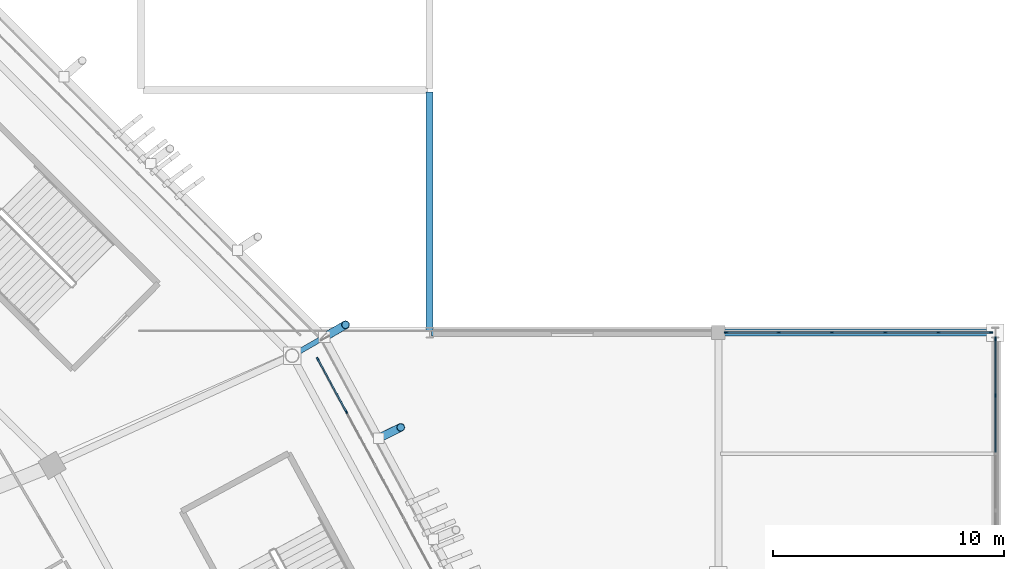
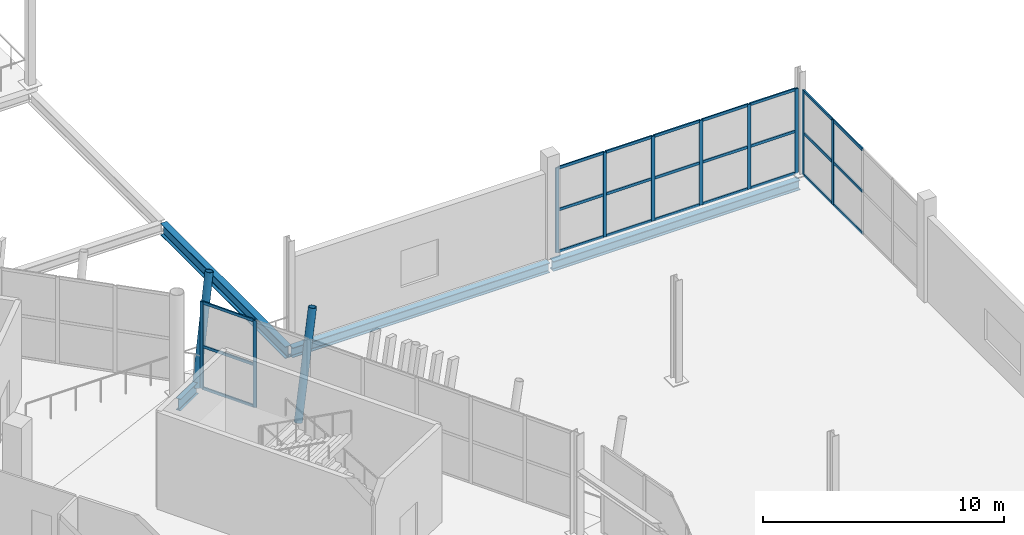
# One storey, part 68 of 178: 36 members, 4 beams, 3 elements without a shape of their own.
"""IFC4 building model written with IfcOpenShell, lengths in metres."""

from ifc_helpers import new_model, si_unit, direction, frame, origin, origin_2d, place, context, subcontext, project, spatial, rectangle, hollow_circle, i_section, extrude, material, material_profile, profile_set, type_object, element, aggregate, save


model = new_model("IFC4")

# Units and contexts
model_context = context("Model", 3, precision=1e-05, world=origin(), true_north=direction((0.0, 1.0)))
body_context = subcontext(model_context, "Body", "Model", "MODEL_VIEW")
ifc_project = project(units=[si_unit("LENGTHUNIT", "METRE"), si_unit("AREAUNIT", "SQUARE_METRE"), si_unit("VOLUMEUNIT", "CUBIC_METRE"), si_unit("PLANEANGLEUNIT", "RADIAN"), si_unit("MASSUNIT", "GRAM", prefix="KILO")], contexts=[model_context])

# Site, building, storey
site_placement = place(None, origin())
site = spatial("IfcSite", under=ifc_project, at=site_placement, CompositionType="ELEMENT")
building_placement = place(site_placement, origin())
building = spatial("IfcBuilding", under=site, at=building_placement, Name="Zlatoyarsky Gate Stadium", CompositionType="ELEMENT")
storey_placement = place(building_placement, frame((0.0, 0.0, 5.39990234375)))
storey = spatial("IfcBuildingStorey", under=building, at=storey_placement, Name="L01", CompositionType="ELEMENT", Elevation=5.39990234375)

# Curtain wall, members
ifc_material_1 = material(Name="Thermally broken anodised aluminium curtain wall", Category="aluminium")
curtain_wall_type_1 = type_object("IfcCurtainWallType", Name="UNITISED HOSPITALITY GLAZING L01", PredefinedType="USERDEFINED", material=ifc_material_1)
curtain_wall_1_placement = place(storey_placement, origin())
curtain_wall_1 = element("IfcCurtainWall", 1, at=curtain_wall_1_placement, inside=storey, type_object=curtain_wall_type_1, Name="Curtain wall CW-L01-01", ObjectType="UNITISED GLAZING", PredefinedType="USERDEFINED")
ifc_material_2 = material(Name="Anodised aluminium 6063-T6", Category="aluminium")
ifc_material_profile_1 = material_profile(ifc_material_2, rectangle(XDim=0.06494140625, YDim=0.159912109375, at=origin_2d()), Name="ALU 65X160")
ifc_profile_set_1 = profile_set([ifc_material_profile_1], Name="Anodised aluminium 6063-T6")
member_type_1 = type_object("IfcMemberType", Name="ALUMINIUM MULLION 65X160", PredefinedType="MULLION", material=ifc_profile_set_1)
member_1_placement = place(storey_placement, frame((193.88818359375, 113.068359375, 0.0), z_axis=(0.0, 0.0, 1.0), x_axis=(-0.879562033396, -0.475784225682, 0.0)))
member_1 = element("IfcMember", 2, at=member_1_placement, type_object=member_type_1, Name="CW-UG1 mullion 7", PredefinedType="MULLION", context=body_context, shape_type="SweptSolid", body=[
    extrude(rectangle(XDim=0.06494140625, YDim=0.159912109375, at=origin_2d()), origin(), (0.0, 0.0, 1.0), 4.400146484375),
])
member_2_placement = place(storey_placement, frame((192.65185546875, 115.35400390625, 0.0), z_axis=(0.0, 0.0, 1.0), x_axis=(-0.879562033396, -0.475784225682, 0.0)))
member_2 = element("IfcMember", 3, at=member_2_placement, type_object=member_type_1, Name="CW-UG1 mullion 8", PredefinedType="MULLION", context=body_context, shape_type="SweptSolid", body=[
    extrude(rectangle(XDim=0.06494140625, YDim=0.159912109375, at=origin_2d()), origin(), (0.0, 0.0, 1.0), 4.400146484375),
])

curtain_wall_type_2 = type_object("IfcCurtainWallType", Name="WINTER GARDEN CONSERVATORY GLAZING", PredefinedType="USERDEFINED", material=ifc_material_1)
curtain_wall_2_placement = place(storey_placement, origin())
curtain_wall_2 = element("IfcCurtainWall", 4, at=curtain_wall_2_placement, inside=storey, type_object=curtain_wall_type_2, Name="Curtain wall CW-V5_EAST-L01-182", ObjectType="UNITISED GLAZING", PredefinedType="USERDEFINED")
member_3_placement = place(storey_placement, frame((222.0, 113.775146484375, 0.0), z_axis=(0.0, 0.0, 1.0), x_axis=(-1.0, 0.0, 0.0)))
member_3 = element("IfcMember", 5, at=member_3_placement, type_object=member_type_1, Name="CW-WG1 mullion 4", PredefinedType="MULLION", context=body_context, shape_type="SweptSolid", body=[
    extrude(rectangle(XDim=0.06494140625, YDim=0.159912109375, at=origin_2d()), origin(), (0.0, 0.0, 1.0), 4.300048828125),
])
member_4_placement = place(storey_placement, frame((222.0, 116.23046875, 0.0), z_axis=(0.0, 0.0, 1.0), x_axis=(-1.0, 0.0, 0.0)))
member_4 = element("IfcMember", 6, at=member_4_placement, type_object=member_type_1, Name="CW-WG1 mullion 5", PredefinedType="MULLION", context=body_context, shape_type="SweptSolid", body=[
    extrude(rectangle(XDim=0.06494140625, YDim=0.159912109375, at=origin_2d()), origin(), (0.0, 0.0, 1.0), 4.300048828125),
])

curtain_wall_3_placement = place(storey_placement, origin())
curtain_wall_3 = element("IfcCurtainWall", 7, at=curtain_wall_3_placement, inside=storey, type_object=curtain_wall_type_2, Name="Curtain wall CW-V5_EAST-L01-190", ObjectType="UNITISED GLAZING", PredefinedType="USERDEFINED")
member_5_placement = place(storey_placement, frame((210.344482421875, 116.5, 0.0), z_axis=(0.0, 0.0, 1.0), x_axis=(0.0, 1.0, 0.0)))
member_5 = element("IfcMember", 8, at=member_5_placement, type_object=member_type_1, Name="CW-WG1 mullion 1", PredefinedType="MULLION", context=body_context, shape_type="SweptSolid", body=[
    extrude(rectangle(XDim=0.06494140625, YDim=0.159912109375, at=origin_2d()), origin(), (0.0, 0.0, 1.0), 4.300048828125),
])
member_6_placement = place(storey_placement, frame((212.6171875, 116.5, 0.0), z_axis=(0.0, 0.0, 1.0), x_axis=(0.0, 1.0, 0.0)))
member_6 = element("IfcMember", 9, at=member_6_placement, type_object=member_type_1, Name="CW-WG1 mullion 2", PredefinedType="MULLION", context=body_context, shape_type="SweptSolid", body=[
    extrude(rectangle(XDim=0.06494140625, YDim=0.159912109375, at=origin_2d()), origin(), (0.0, 0.0, 1.0), 4.300048828125),
])
member_7_placement = place(storey_placement, frame((214.92236328125, 116.5, 0.0), z_axis=(0.0, 0.0, 1.0), x_axis=(0.0, 1.0, 0.0)))
member_7 = element("IfcMember", 10, at=member_7_placement, type_object=member_type_1, Name="CW-WG1 mullion 3", PredefinedType="MULLION", context=body_context, shape_type="SweptSolid", body=[
    extrude(rectangle(XDim=0.06494140625, YDim=0.159912109375, at=origin_2d()), origin(), (0.0, 0.0, 1.0), 4.300048828125),
])
member_8_placement = place(storey_placement, frame((217.2275390625, 116.5, 0.0), z_axis=(0.0, 0.0, 1.0), x_axis=(0.0, 1.0, 0.0)))
member_8 = element("IfcMember", 11, at=member_8_placement, type_object=member_type_1, Name="CW-WG1 mullion 4", PredefinedType="MULLION", context=body_context, shape_type="SweptSolid", body=[
    extrude(rectangle(XDim=0.06494140625, YDim=0.159912109375, at=origin_2d()), origin(), (0.0, 0.0, 1.0), 4.300048828125),
])
member_9_placement = place(storey_placement, frame((219.53271484375, 116.5, 0.0), z_axis=(0.0, 0.0, 1.0), x_axis=(0.0, 1.0, 0.0)))
member_9 = element("IfcMember", 12, at=member_9_placement, type_object=member_type_1, Name="CW-WG1 mullion 5", PredefinedType="MULLION", context=body_context, shape_type="SweptSolid", body=[
    extrude(rectangle(XDim=0.06494140625, YDim=0.159912109375, at=origin_2d()), origin(), (0.0, 0.0, 1.0), 4.300048828125),
])
member_10_placement = place(storey_placement, frame((221.805419921875, 116.5, 0.0), z_axis=(0.0, 0.0, 1.0), x_axis=(0.0, 1.0, 0.0)))
member_10 = element("IfcMember", 13, at=member_10_placement, type_object=member_type_1, Name="CW-WG1 mullion 6", PredefinedType="MULLION", context=body_context, shape_type="SweptSolid", body=[
    extrude(rectangle(XDim=0.06494140625, YDim=0.159912109375, at=origin_2d()), origin(), (0.0, 0.0, 1.0), 4.300048828125),
])

# Member
ifc_material_profile_2 = material_profile(ifc_material_2, rectangle(XDim=0.06494140625, YDim=0.139892578125, at=origin_2d()), Name="ALU 65X140")
ifc_profile_set_2 = profile_set([ifc_material_profile_2], Name="Anodised aluminium 6063-T6")
member_type_2 = type_object("IfcMemberType", Name="ALUMINIUM TRANSOM 65X140", PredefinedType="USERDEFINED", material=ifc_profile_set_2)
member_11_placement = place(storey_placement, frame((193.872802734375, 113.096923828125, 0.03271484375), z_axis=(-0.475811253632, 0.879547412546, 0.0), x_axis=(-0.879547412546, -0.475811253632, 0.0)))
member_11 = element("IfcMember", 14, at=member_11_placement, type_object=member_type_2, Name="CW-UG1 transom 7.1", ObjectType="TRANSOM", PredefinedType="USERDEFINED", context=body_context, shape_type="SweptSolid", body=[
    extrude(rectangle(XDim=0.06494140625, YDim=0.139892578125, at=origin_2d()), origin(), (0.0, 0.0, 1.0), 2.53369140625),
])

member_12_placement = place(storey_placement, frame((193.872802734375, 113.096923828125, 2.150146484375), z_axis=(-0.475811253632, 0.879547412546, 0.0), x_axis=(-0.879547412546, -0.475811253632, 0.0)))
member_12 = element("IfcMember", 15, at=member_12_placement, type_object=member_type_2, Name="CW-UG1 transom 7.2", ObjectType="TRANSOM", PredefinedType="USERDEFINED", context=body_context, shape_type="SweptSolid", body=[
    extrude(rectangle(XDim=0.06494140625, YDim=0.139892578125, at=origin_2d()), origin(), (0.0, 0.0, 1.0), 2.53369140625),
])

member_13_placement = place(storey_placement, frame((193.872802734375, 113.096923828125, 4.36767578125), z_axis=(-0.475811253632, 0.879547412546, 0.0), x_axis=(-0.879547412546, -0.475811253632, 0.0)))
member_13 = element("IfcMember", 16, at=member_13_placement, type_object=member_type_2, Name="CW-UG1 transom 7.3", ObjectType="TRANSOM", PredefinedType="USERDEFINED", context=body_context, shape_type="SweptSolid", body=[
    extrude(rectangle(XDim=0.06494140625, YDim=0.139892578125, at=origin_2d()), origin(), (0.0, 0.0, 1.0), 2.53369140625),
])

aggregate(curtain_wall_1, [member_1, member_2, member_11, member_12, member_13])

member_14_placement = place(storey_placement, frame((222.0, 111.320068359375, 0.03271484375), z_axis=(0.0, 1.0, 0.0), x_axis=(-1.0, 0.0, 0.0)))
member_14 = element("IfcMember", 17, at=member_14_placement, type_object=member_type_2, Name="CW-WG1 transom 3.1", ObjectType="TRANSOM", PredefinedType="USERDEFINED", context=body_context, shape_type="SweptSolid", body=[
    extrude(rectangle(XDim=0.06494140625, YDim=0.139892578125, at=origin_2d()), origin(), (0.0, 0.0, 1.0), 2.422607421875),
])

member_15_placement = place(storey_placement, frame((222.0, 111.320068359375, 2.150146484375), z_axis=(0.0, 1.0, 0.0), x_axis=(-1.0, 0.0, 0.0)))
member_15 = element("IfcMember", 18, at=member_15_placement, type_object=member_type_2, Name="CW-WG1 transom 3.2", ObjectType="TRANSOM", PredefinedType="USERDEFINED", context=body_context, shape_type="SweptSolid", body=[
    extrude(rectangle(XDim=0.06494140625, YDim=0.139892578125, at=origin_2d()), origin(), (0.0, 0.0, 1.0), 2.422607421875),
])

member_16_placement = place(storey_placement, frame((222.0, 111.320068359375, 4.267578125), z_axis=(0.0, 1.0, 0.0), x_axis=(-1.0, 0.0, 0.0)))
member_16 = element("IfcMember", 19, at=member_16_placement, type_object=member_type_2, Name="CW-WG1 transom 3.3", ObjectType="TRANSOM", PredefinedType="USERDEFINED", context=body_context, shape_type="SweptSolid", body=[
    extrude(rectangle(XDim=0.06494140625, YDim=0.139892578125, at=origin_2d()), origin(), (0.0, 0.0, 1.0), 2.422607421875),
])

member_17_placement = place(storey_placement, frame((222.0, 113.807861328125, 0.03271484375), z_axis=(0.0, 1.0, 0.0), x_axis=(-1.0, 0.0, 0.0)))
member_17 = element("IfcMember", 20, at=member_17_placement, type_object=member_type_2, Name="CW-WG1 transom 4.1", ObjectType="TRANSOM", PredefinedType="USERDEFINED", context=body_context, shape_type="SweptSolid", body=[
    extrude(rectangle(XDim=0.06494140625, YDim=0.139892578125, at=origin_2d()), origin(), (0.0, 0.0, 1.0), 2.39013671875),
])

member_18_placement = place(storey_placement, frame((222.0, 113.807861328125, 2.150146484375), z_axis=(0.0, 1.0, 0.0), x_axis=(-1.0, 0.0, 0.0)))
member_18 = element("IfcMember", 21, at=member_18_placement, type_object=member_type_2, Name="CW-WG1 transom 4.2", ObjectType="TRANSOM", PredefinedType="USERDEFINED", context=body_context, shape_type="SweptSolid", body=[
    extrude(rectangle(XDim=0.06494140625, YDim=0.139892578125, at=origin_2d()), origin(), (0.0, 0.0, 1.0), 2.39013671875),
])

member_19_placement = place(storey_placement, frame((222.0, 113.807861328125, 4.267578125), z_axis=(0.0, 1.0, 0.0), x_axis=(-1.0, 0.0, 0.0)))
member_19 = element("IfcMember", 22, at=member_19_placement, type_object=member_type_2, Name="CW-WG1 transom 4.3", ObjectType="TRANSOM", PredefinedType="USERDEFINED", context=body_context, shape_type="SweptSolid", body=[
    extrude(rectangle(XDim=0.06494140625, YDim=0.139892578125, at=origin_2d()), origin(), (0.0, 0.0, 1.0), 2.39013671875),
])

aggregate(curtain_wall_2, [member_3, member_4, member_14, member_15, member_16, member_17, member_18, member_19])

member_20_placement = place(storey_placement, frame((210.376953125, 116.5, 0.03271484375), z_axis=(1.0, 0.0, 0.0), x_axis=(0.0, 1.0, 0.0)))
member_20 = element("IfcMember", 23, at=member_20_placement, type_object=member_type_2, Name="CW-WG1 transom 1.1", ObjectType="TRANSOM", PredefinedType="USERDEFINED", context=body_context, shape_type="SweptSolid", body=[
    extrude(rectangle(XDim=0.06494140625, YDim=0.139892578125, at=origin_2d()), origin(), (0.0, 0.0, 1.0), 2.207763671875),
])

member_21_placement = place(storey_placement, frame((210.376953125, 116.5, 2.150146484375), z_axis=(1.0, 0.0, 0.0), x_axis=(0.0, 1.0, 0.0)))
member_21 = element("IfcMember", 24, at=member_21_placement, type_object=member_type_2, Name="CW-WG1 transom 1.2", ObjectType="TRANSOM", PredefinedType="USERDEFINED", context=body_context, shape_type="SweptSolid", body=[
    extrude(rectangle(XDim=0.06494140625, YDim=0.139892578125, at=origin_2d()), origin(), (0.0, 0.0, 1.0), 2.207763671875),
])

member_22_placement = place(storey_placement, frame((210.376953125, 116.5, 4.267578125), z_axis=(1.0, 0.0, 0.0), x_axis=(0.0, 1.0, 0.0)))
member_22 = element("IfcMember", 25, at=member_22_placement, type_object=member_type_2, Name="CW-WG1 transom 1.3", ObjectType="TRANSOM", PredefinedType="USERDEFINED", context=body_context, shape_type="SweptSolid", body=[
    extrude(rectangle(XDim=0.06494140625, YDim=0.139892578125, at=origin_2d()), origin(), (0.0, 0.0, 1.0), 2.207763671875),
])

member_23_placement = place(storey_placement, frame((212.649658203125, 116.5, 0.03271484375), z_axis=(1.0, 0.0, 0.0), x_axis=(0.0, 1.0, 0.0)))
member_23 = element("IfcMember", 26, at=member_23_placement, type_object=member_type_2, Name="CW-WG1 transom 2.1", ObjectType="TRANSOM", PredefinedType="USERDEFINED", context=body_context, shape_type="SweptSolid", body=[
    extrude(rectangle(XDim=0.06494140625, YDim=0.139892578125, at=origin_2d()), origin(), (0.0, 0.0, 1.0), 2.240234375),
])

member_24_placement = place(storey_placement, frame((212.649658203125, 116.5, 2.150146484375), z_axis=(1.0, 0.0, 0.0), x_axis=(0.0, 1.0, 0.0)))
member_24 = element("IfcMember", 27, at=member_24_placement, type_object=member_type_2, Name="CW-WG1 transom 2.2", ObjectType="TRANSOM", PredefinedType="USERDEFINED", context=body_context, shape_type="SweptSolid", body=[
    extrude(rectangle(XDim=0.06494140625, YDim=0.139892578125, at=origin_2d()), origin(), (0.0, 0.0, 1.0), 2.240234375),
])

member_25_placement = place(storey_placement, frame((212.649658203125, 116.5, 4.267578125), z_axis=(1.0, 0.0, 0.0), x_axis=(0.0, 1.0, 0.0)))
member_25 = element("IfcMember", 28, at=member_25_placement, type_object=member_type_2, Name="CW-WG1 transom 2.3", ObjectType="TRANSOM", PredefinedType="USERDEFINED", context=body_context, shape_type="SweptSolid", body=[
    extrude(rectangle(XDim=0.06494140625, YDim=0.139892578125, at=origin_2d()), origin(), (0.0, 0.0, 1.0), 2.240234375),
])

member_26_placement = place(storey_placement, frame((214.954833984375, 116.5, 0.03271484375), z_axis=(1.0, 0.0, 0.0), x_axis=(0.0, 1.0, 0.0)))
member_26 = element("IfcMember", 29, at=member_26_placement, type_object=member_type_2, Name="CW-WG1 transom 3.1", ObjectType="TRANSOM", PredefinedType="USERDEFINED", context=body_context, shape_type="SweptSolid", body=[
    extrude(rectangle(XDim=0.06494140625, YDim=0.139892578125, at=origin_2d()), origin(), (0.0, 0.0, 1.0), 2.240234375),
])

member_27_placement = place(storey_placement, frame((214.954833984375, 116.5, 2.150146484375), z_axis=(1.0, 0.0, 0.0), x_axis=(0.0, 1.0, 0.0)))
member_27 = element("IfcMember", 30, at=member_27_placement, type_object=member_type_2, Name="CW-WG1 transom 3.2", ObjectType="TRANSOM", PredefinedType="USERDEFINED", context=body_context, shape_type="SweptSolid", body=[
    extrude(rectangle(XDim=0.06494140625, YDim=0.139892578125, at=origin_2d()), origin(), (0.0, 0.0, 1.0), 2.240234375),
])

member_28_placement = place(storey_placement, frame((214.954833984375, 116.5, 4.267578125), z_axis=(1.0, 0.0, 0.0), x_axis=(0.0, 1.0, 0.0)))
member_28 = element("IfcMember", 31, at=member_28_placement, type_object=member_type_2, Name="CW-WG1 transom 3.3", ObjectType="TRANSOM", PredefinedType="USERDEFINED", context=body_context, shape_type="SweptSolid", body=[
    extrude(rectangle(XDim=0.06494140625, YDim=0.139892578125, at=origin_2d()), origin(), (0.0, 0.0, 1.0), 2.240234375),
])

member_29_placement = place(storey_placement, frame((217.260009765625, 116.5, 0.03271484375), z_axis=(1.0, 0.0, 0.0), x_axis=(0.0, 1.0, 0.0)))
member_29 = element("IfcMember", 32, at=member_29_placement, type_object=member_type_2, Name="CW-WG1 transom 4.1", ObjectType="TRANSOM", PredefinedType="USERDEFINED", context=body_context, shape_type="SweptSolid", body=[
    extrude(rectangle(XDim=0.06494140625, YDim=0.139892578125, at=origin_2d()), origin(), (0.0, 0.0, 1.0), 2.240234375),
])

member_30_placement = place(storey_placement, frame((217.260009765625, 116.5, 2.150146484375), z_axis=(1.0, 0.0, 0.0), x_axis=(0.0, 1.0, 0.0)))
member_30 = element("IfcMember", 33, at=member_30_placement, type_object=member_type_2, Name="CW-WG1 transom 4.2", ObjectType="TRANSOM", PredefinedType="USERDEFINED", context=body_context, shape_type="SweptSolid", body=[
    extrude(rectangle(XDim=0.06494140625, YDim=0.139892578125, at=origin_2d()), origin(), (0.0, 0.0, 1.0), 2.240234375),
])

member_31_placement = place(storey_placement, frame((217.260009765625, 116.5, 4.267578125), z_axis=(1.0, 0.0, 0.0), x_axis=(0.0, 1.0, 0.0)))
member_31 = element("IfcMember", 34, at=member_31_placement, type_object=member_type_2, Name="CW-WG1 transom 4.3", ObjectType="TRANSOM", PredefinedType="USERDEFINED", context=body_context, shape_type="SweptSolid", body=[
    extrude(rectangle(XDim=0.06494140625, YDim=0.139892578125, at=origin_2d()), origin(), (0.0, 0.0, 1.0), 2.240234375),
])

member_32_placement = place(storey_placement, frame((219.565185546875, 116.5, 0.03271484375), z_axis=(1.0, 0.0, 0.0), x_axis=(0.0, 1.0, 0.0)))
member_32 = element("IfcMember", 35, at=member_32_placement, type_object=member_type_2, Name="CW-WG1 transom 5.1", ObjectType="TRANSOM", PredefinedType="USERDEFINED", context=body_context, shape_type="SweptSolid", body=[
    extrude(rectangle(XDim=0.06494140625, YDim=0.139892578125, at=origin_2d()), origin(), (0.0, 0.0, 1.0), 2.207763671875),
])

member_33_placement = place(storey_placement, frame((219.565185546875, 116.5, 2.150146484375), z_axis=(1.0, 0.0, 0.0), x_axis=(0.0, 1.0, 0.0)))
member_33 = element("IfcMember", 36, at=member_33_placement, type_object=member_type_2, Name="CW-WG1 transom 5.2", ObjectType="TRANSOM", PredefinedType="USERDEFINED", context=body_context, shape_type="SweptSolid", body=[
    extrude(rectangle(XDim=0.06494140625, YDim=0.139892578125, at=origin_2d()), origin(), (0.0, 0.0, 1.0), 2.207763671875),
])

member_34_placement = place(storey_placement, frame((219.565185546875, 116.5, 4.267578125), z_axis=(1.0, 0.0, 0.0), x_axis=(0.0, 1.0, 0.0)))
member_34 = element("IfcMember", 37, at=member_34_placement, type_object=member_type_2, Name="CW-WG1 transom 5.3", ObjectType="TRANSOM", PredefinedType="USERDEFINED", context=body_context, shape_type="SweptSolid", body=[
    extrude(rectangle(XDim=0.06494140625, YDim=0.139892578125, at=origin_2d()), origin(), (0.0, 0.0, 1.0), 2.207763671875),
])

aggregate(curtain_wall_3, [member_5, member_6, member_7, member_8, member_9, member_10, member_20, member_21, member_22, member_23, member_24, member_25, member_26, member_27, member_28, member_29, member_30, member_31, member_32, member_33, member_34])

# Beam
ifc_material_3 = material(Name="Steel S355", Category="steel")
ifc_material_profile_3 = material_profile(ifc_material_3, i_section(OverallWidth=0.219970703125, OverallDepth=0.60009765625, WebThickness=0.011962890625, FlangeThickness=0.01904296875, FilletRadius=0.02392578125, at=origin_2d()), Name="IPE 600")
ifc_profile_set_3 = profile_set([ifc_material_profile_3], Name="Steel S355")
beam_type_1 = type_object("IfcBeamType", Name="STEEL CANTILEVER FLOOR BEAM IPE 600", PredefinedType="BEAM", material=ifc_profile_set_3)
beam_1_placement = place(storey_placement, frame((191.644287109375, 115.56005859375, -0.599853515625), z_axis=(0.866054481515, 0.499949632511, 0.0), x_axis=(-0.499949632511, 0.866054481515, 0.0)))
element("IfcBeam", 38, at=beam_1_placement, inside=storey, type_object=beam_type_1, Name="Beam B-IPE600 BM-L01-OUT-02", PredefinedType="BEAM", context=body_context, shape_type="SweptSolid", body=[
    extrude(i_section(OverallWidth=0.219970703125, OverallDepth=0.60009765625, WebThickness=0.011962890625, FlangeThickness=0.01904296875, FilletRadius=0.02392578125, at=origin_2d()), origin(), (0.0, 0.0, 1.0), 1.488525390625),
])

# Members
ifc_material_profile_4 = material_profile(ifc_material_3, hollow_circle(Radius=0.177734375, WallThickness=0.02001953125, at=origin_2d()), Name="CHS 355.6X20")
ifc_profile_set_4 = profile_set([ifc_material_profile_4], Name="Steel S355")
member_type_3 = type_object("IfcMemberType", Name="STEEL LEANING RIB RING STRUT CHS 355.6X20", PredefinedType="STRUT", material=ifc_profile_set_4)
member_35_placement = place(storey_placement, frame((192.933349609375, 116.30419921875, -0.599853515625), z_axis=(0.173528176183, 0.100167043342, 0.979721662259), x_axis=(-0.499927021214, 0.866067534006, 0.0)))
element("IfcMember", 39, at=member_35_placement, inside=storey, type_object=member_type_3, Name="Leaning ring strut 02 L01 to L02", PredefinedType="STRUT", context=body_context, shape_type="SweptSolid", body=[
    extrude(hollow_circle(Radius=0.177734375, WallThickness=0.02001953125, at=origin_2d()), origin(), (0.0, 0.0, 1.0), 5.328125),
])
member_36_placement = place(storey_placement, frame((195.29638671875, 111.92626953125, -0.5498046875), z_axis=(0.178524731367, 0.088093590164, 0.979983897655), x_axis=(-0.442510646428, 0.896763250695, 0.0)))
element("IfcMember", 40, at=member_36_placement, inside=storey, type_object=member_type_3, Name="Outward-leaning bowl louvre fin rib L01 01-3", PredefinedType="STRUT", context=body_context, shape_type="SweptSolid", body=[
    extrude(hollow_circle(Radius=0.177734375, WallThickness=0.02001953125, at=origin_2d()), origin(), (0.0, 0.0, 1.0), 5.32666015625),
])

# Beams
ifc_material_profile_5 = material_profile(ifc_material_3, i_section(OverallWidth=0.300048828125, OverallDepth=0.5, WebThickness=0.014404296875, FlangeThickness=0.028076171875, FilletRadius=0.027099609375, at=origin_2d()), Name="HEB 500")
ifc_profile_set_5 = profile_set([ifc_material_profile_5], Name="Steel S355")
beam_type_2 = type_object("IfcBeamType", Name="STEEL PRIMARY GIRDER HEB 500", PredefinedType="BEAM", material=ifc_profile_set_5)
beam_2_placement = place(storey_placement, frame((197.580078125, 116.5, -0.5498046875), z_axis=(1.0, 0.0, 0.0), x_axis=(0.0, 1.0, 0.0)))
element("IfcBeam", 41, at=beam_2_placement, inside=storey, type_object=beam_type_2, Name="Beam G-HEB500 BM-L01-WGX-17-L", PredefinedType="BEAM", context=body_context, shape_type="SweptSolid", body=[
    extrude(i_section(OverallWidth=0.300048828125, OverallDepth=0.5, WebThickness=0.014404296875, FlangeThickness=0.028076171875, FilletRadius=0.027099609375, at=origin_2d()), origin(), (0.0, 0.0, 1.0), 12.33984375),
])
beam_3_placement = place(storey_placement, frame((210.080078125, 116.5, -0.5498046875), z_axis=(1.0, 0.0, 0.0), x_axis=(0.0, 1.0, 0.0)))
element("IfcBeam", 42, at=beam_3_placement, inside=storey, type_object=beam_type_2, Name="Beam G-HEB500 BM-L01-WGX-18-L", PredefinedType="BEAM", context=body_context, shape_type="SweptSolid", body=[
    extrude(i_section(OverallWidth=0.300048828125, OverallDepth=0.5, WebThickness=0.014404296875, FlangeThickness=0.028076171875, FilletRadius=0.027099609375, at=origin_2d()), origin(), (0.0, 0.0, 1.0), 11.83984375),
])
ifc_material_profile_6 = material_profile(ifc_material_3, i_section(OverallWidth=0.300048828125, OverallDepth=0.60009765625, WebThickness=0.015380859375, FlangeThickness=0.030029296875, FilletRadius=0.027099609375, at=origin_2d()), Name="HEB 600")
ifc_profile_set_6 = profile_set([ifc_material_profile_6], Name="Steel S355")
beam_type_3 = type_object("IfcBeamType", Name="STEEL PRIMARY GIRDER HEB 600", PredefinedType="BEAM", material=ifc_profile_set_6)
beam_4_placement = place(storey_placement, frame((197.5, 116.580078125, -0.599853515625), z_axis=(0.0, 1.0, 0.0), x_axis=(-1.0, 0.0, 0.0)))
element("IfcBeam", 43, at=beam_4_placement, inside=storey, type_object=beam_type_3, Name="Beam G-HEB600 BM-L01-WGY-17-L", PredefinedType="BEAM", context=body_context, shape_type="SweptSolid", body=[
    extrude(i_section(OverallWidth=0.300048828125, OverallDepth=0.60009765625, WebThickness=0.015380859375, FlangeThickness=0.030029296875, FilletRadius=0.027099609375, at=origin_2d()), origin(), (0.0, 0.0, 1.0), 10.33984375),
])

save(model, "model.ifc")
